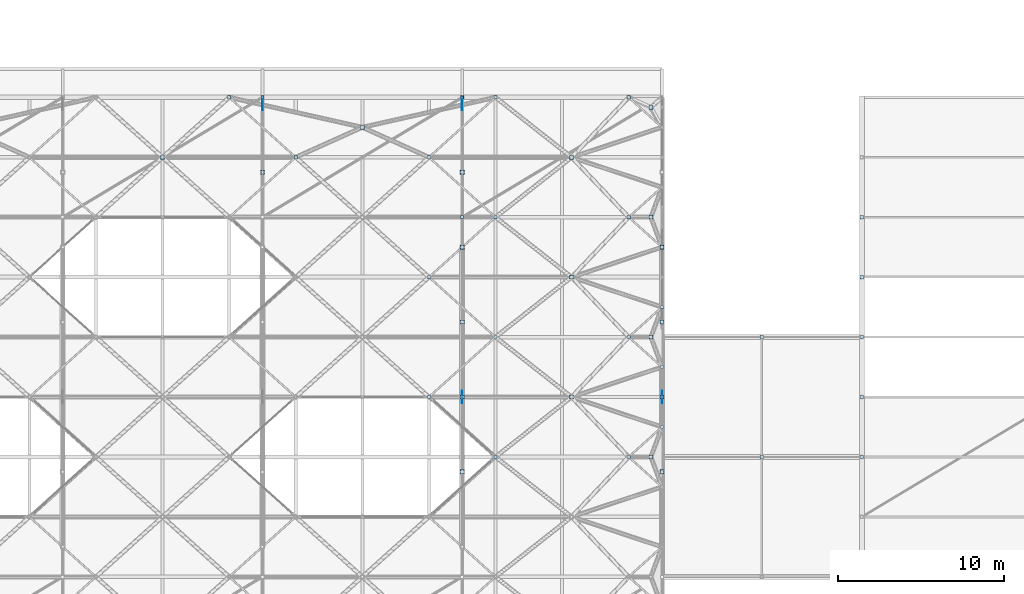
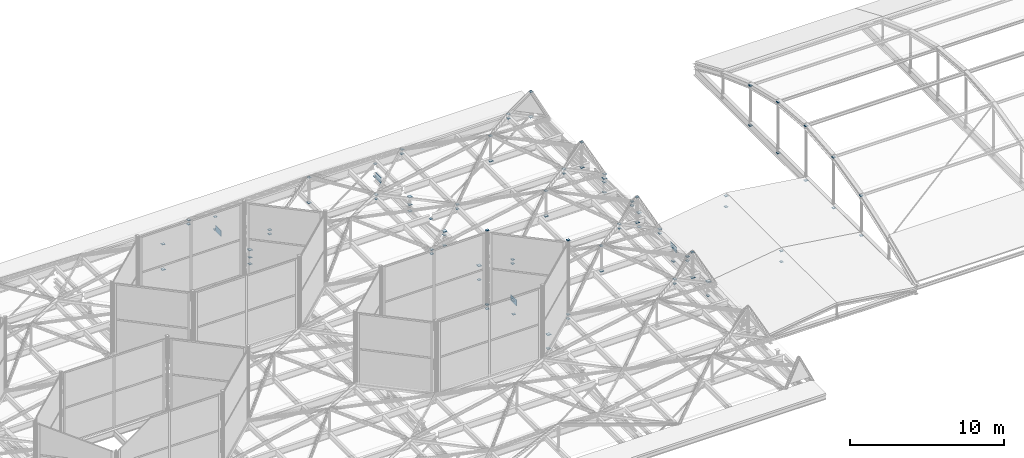
# One storey, part 223 of 239: 100 plates.
"""IFC4 building model written with IfcOpenShell, lengths in metres."""

from ifc_helpers import new_model, si_unit, direction, frame, origin, origin_2d, place, context, subcontext, project, spatial, rectangle, extrude, material, layer, layer_set, type_object, element, save


model = new_model("IFC4")

# Units and contexts
model_context = context("Model", 3, precision=1e-05, world=origin(), true_north=direction((0.0, 1.0)))
body_context = subcontext(model_context, "Body", "Model", "MODEL_VIEW")
ifc_project = project(units=[si_unit("LENGTHUNIT", "METRE"), si_unit("AREAUNIT", "SQUARE_METRE"), si_unit("VOLUMEUNIT", "CUBIC_METRE"), si_unit("PLANEANGLEUNIT", "RADIAN"), si_unit("MASSUNIT", "GRAM", prefix="KILO")], contexts=[model_context])

# Site, building, storey
site_placement = place(None, origin())
site = spatial("IfcSite", under=ifc_project, at=site_placement, CompositionType="ELEMENT")
building_placement = place(site_placement, origin())
building = spatial("IfcBuilding", under=site, at=building_placement, Name="Dunvalen Ferry Terminal", CompositionType="ELEMENT")
storey_placement = place(building_placement, frame((0.0, 0.0, 9.840087890625)))
storey = spatial("IfcBuildingStorey", under=building, at=storey_placement, Name="L02", CompositionType="ELEMENT", Elevation=9.840087890625)

# Plates
ifc_material = material(Name="Steel S355", Category="steel")
ifc_layer_1 = layer(ifc_material, 0.02001953125, Name="Steel S355")
ifc_layer_set_1 = layer_set([ifc_layer_1], Name="Steel S355")
plate_type_1 = type_object("IfcPlateType", Name="STR-PL-GUSSET-01", PredefinedType="USERDEFINED", material=ifc_layer_set_1)
for number, where, z_axis, x_axis, name in (
    (1, (72.0, 81.89990234375, 0.760009765625), (0.0, 0.0, 1.0), (1.0, 0.0, 0.0), "Departure Hall Spandrel Strut Cap Plate 06.7"),
    (2, (84.0, 63.89990234375, 0.760009765625), (0.0, 0.0, 1.0), (1.0, 0.0, 0.0), "Departure Hall Spandrel Strut Cap Plate 07.3"),
    (3, (84.0, 68.39990234375, 0.760009765625), (0.0, 0.0, 1.0), (1.0, 0.0, 0.0), "Departure Hall Spandrel Strut Cap Plate 07.4"),
    (4, (84.0, 72.89990234375, 0.760009765625), (0.0, 0.0, 1.0), (1.0, 0.0, 0.0), "Departure Hall Spandrel Strut Cap Plate 07.5"),
    (5, (84.0, 77.39990234375, 0.760009765625), (0.0, 0.0, 1.0), (1.0, 0.0, 0.0), "Departure Hall Spandrel Strut Cap Plate 07.6"),
    (6, (84.0, 81.89990234375, 0.760009765625), (0.0, 0.0, 1.0), (1.0, 0.0, 0.0), "Departure Hall Spandrel Strut Cap Plate 07.7"),
    (7, (96.0, 63.89990234375, 0.760009765625), (0.0, 0.0, 1.0), (1.0, 0.0, 0.0), "Departure Hall Spandrel Strut Cap Plate 08.3"),
    (8, (96.0, 68.39990234375, 0.760009765625), (0.0, 0.0, 1.0), (1.0, 0.0, 0.0), "Departure Hall Spandrel Strut Cap Plate 08.4"),
    (9, (96.0, 72.89990234375, 0.760009765625), (0.0, 0.0, 1.0), (1.0, 0.0, 0.0), "Departure Hall Spandrel Strut Cap Plate 08.5"),
    (10, (96.0, 77.39990234375, 0.760009765625), (0.0, 0.0, 1.0), (1.0, 0.0, 0.0), "Departure Hall Spandrel Strut Cap Plate 08.6"),
):
    element("IfcPlate", number, at=place(storey_placement, frame(where, z_axis=z_axis, x_axis=x_axis)), inside=storey, type_object=plate_type_1, Name=name, ObjectType="GUSSET PLATE", PredefinedType="USERDEFINED", context=body_context, shape_type="SweptSolid", body=[
        extrude(rectangle(XDim=0.260009765625, YDim=0.260009765625, at=origin_2d()), origin(), (0.0, 0.0, 1.0), 0.02001953125),
    ])
for number, where, z_axis, x_axis, name in (
    (11, (72.0, 86.39990234375, 0.64990234375), (0.0, 0.0, 1.0), (1.0, 0.0, 0.0), "Departure Hall Wind Brace End Cap Plate 5.79.2"),
    (12, (84.0, 86.39990234375, 0.64990234375), (0.0, 0.0, 1.0), (1.0, 0.0, 0.0), "Departure Hall Wind Brace End Cap Plate 6.79.2"),
    (13, (84.0, 79.199951171875, 0.64990234375), (0.0, 0.0, 1.0), (1.0, 0.0, 0.0), "Departure Hall Wind Brace End Cap Plate 7.79.1"),
):
    element("IfcPlate", number, at=place(storey_placement, frame(where, z_axis=z_axis, x_axis=x_axis)), inside=storey, type_object=plate_type_1, Name=name, ObjectType="GUSSET PLATE", PredefinedType="USERDEFINED", context=body_context, shape_type="SweptSolid", body=[
        extrude(rectangle(XDim=0.179931640625, YDim=0.179931640625, at=origin_2d()), origin(), (0.0, 0.0, 1.0), 0.02001953125),
    ])
for number, where, z_axis, x_axis, name in (
    (14, (66.0, 82.800048828125, 0.760009765625), (0.0, 0.0, 1.0), (1.0, 0.0, 0.0), "HEX-33 Pyramid Apex Strut Base Cap Plate"),
    (15, (78.0, 84.60009765625, 0.760009765625), (0.0, 0.0, 1.0), (1.0, 0.0, 0.0), "HEX-39 Pyramid Apex Strut Base Cap Plate"),
    (16, (90.5712890625, 68.39990234375, 0.760009765625), (0.0, 0.0, 1.0), (1.0, 0.0, 0.0), "HEX-42 Pyramid Apex Strut Base Cap Plate"),
    (17, (90.5712890625, 75.60009765625, 0.760009765625), (0.0, 0.0, 1.0), (1.0, 0.0, 0.0), "HEX-43 Pyramid Apex Strut Base Cap Plate"),
    (18, (90.5712890625, 82.800048828125, 0.760009765625), (0.0, 0.0, 1.0), (1.0, 0.0, 0.0), "HEX-44 Pyramid Apex Strut Base Cap Plate"),
    (19, (95.333251953125, 64.800048828125, 0.760009765625), (0.0, 0.0, 1.0), (1.0, 0.0, 0.0), "HEX-47 Pyramid Apex Strut Base Cap Plate"),
    (20, (95.333251953125, 72.0, 0.760009765625), (0.0, 0.0, 1.0), (1.0, 0.0, 0.0), "HEX-48 Pyramid Apex Strut Base Cap Plate"),
    (21, (95.333251953125, 79.199951171875, 0.760009765625), (0.0, 0.0, 1.0), (1.0, 0.0, 0.0), "HEX-49 Pyramid Apex Strut Base Cap Plate"),
    (22, (95.333251953125, 85.800048828125, 0.760009765625), (0.0, 0.0, 1.0), (1.0, 0.0, 0.0), "HEX-50 Pyramid Apex Strut Base Cap Plate"),
):
    element("IfcPlate", number, at=place(storey_placement, frame(where, z_axis=z_axis, x_axis=x_axis)), inside=storey, type_object=plate_type_1, Name=name, ObjectType="GUSSET PLATE", PredefinedType="USERDEFINED", context=body_context, shape_type="SweptSolid", body=[
        extrude(rectangle(XDim=0.239990234375, YDim=0.239990234375, at=origin_2d()), origin(), (0.0, 0.0, 1.0), 0.02001953125),
    ])
for number, where, z_axis, x_axis, name in (
    (23, (72.0, 81.89990234375, -0.3701171875), (0.0, 0.0, 1.0), (1.0, 0.0, 0.0), "L02 Brace-Strut End Cleat Plate 075"),
    (24, (72.0, 86.39990234375, -0.3701171875), (0.0, 0.0, 1.0), (1.0, 0.0, 0.0), "L02 Brace-Strut End Cleat Plate 077"),
    (25, (84.0, 72.89990234375, -0.3701171875), (0.0, 0.0, 1.0), (1.0, 0.0, 0.0), "L02 Brace-Strut End Cleat Plate 085"),
    (26, (84.0, 77.39990234375, 0.46484375), (0.0, 0.0, 1.0), (1.0, 0.0, 0.0), "L02 Brace-Strut End Cleat Plate 087"),
    (27, (84.0, 81.89990234375, 0.15869140625), (0.0, 0.0, 1.0), (1.0, 0.0, 0.0), "L02 Brace-Strut End Cleat Plate 089"),
    (28, (84.0, 68.39990234375, -0.3701171875), (0.0, 0.0, 1.0), (1.0, 0.0, 0.0), "L02 Brace-Strut End Cleat Plate 091"),
    (29, (96.0, 63.89990234375, -0.3701171875), (0.0, 0.0, 1.0), (1.0, 0.0, 0.0), "L02 Brace-Strut End Cleat Plate 097"),
    (30, (96.0, 77.39990234375, -0.3701171875), (0.0, 0.0, 1.0), (1.0, 0.0, 0.0), "L02 Brace-Strut End Cleat Plate 099"),
    (31, (66.0, 82.800048828125, 2.7548828125), (0.0, 0.0, 1.0), (1.0, 0.0, 0.0), "L02 Brace-Strut End Cleat Plate 343"),
    (32, (74.0, 82.800048828125, 0.760009765625), (0.0, 0.0, 1.0), (1.0, 0.0, 0.0), "L02 Brace-Strut End Cleat Plate 345"),
    (33, (70.0, 86.39990234375, 0.760009765625), (0.0, 0.0, 1.0), (1.0, 0.0, 0.0), "L02 Brace-Strut End Cleat Plate 347"),
    (34, (86.0, 64.800048828125, 6.989990234375), (0.0, 0.0, 1.0), (1.0, 0.0, 0.0), "L02 Brace-Strut End Cleat Plate 363"),
    (35, (82.0, 68.39990234375, 6.989990234375), (0.0, 0.0, 1.0), (1.0, 0.0, 0.0), "L02 Brace-Strut End Cleat Plate 365"),
    (36, (86.0, 72.0, 0.760009765625), (0.0, 0.0, 1.0), (1.0, 0.0, 0.0), "L02 Brace-Strut End Cleat Plate 369"),
    (37, (82.0, 75.60009765625, 0.760009765625), (0.0, 0.0, 1.0), (1.0, 0.0, 0.0), "L02 Brace-Strut End Cleat Plate 371"),
    (38, (86.0, 79.199951171875, 0.760009765625), (0.0, 0.0, 1.0), (1.0, 0.0, 0.0), "L02 Brace-Strut End Cleat Plate 375"),
    (39, (82.0, 82.800048828125, 0.760009765625), (0.0, 0.0, 1.0), (1.0, 0.0, 0.0), "L02 Brace-Strut End Cleat Plate 377"),
    (40, (78.0, 84.60009765625, 2.7548828125), (0.0, 0.0, 1.0), (1.0, 0.0, 0.0), "L02 Brace-Strut End Cleat Plate 379"),
    (41, (86.0, 86.39990234375, 1.08984375), (0.0, 0.0, 1.0), (1.0, 0.0, 0.0), "L02 Brace-Strut End Cleat Plate 381"),
    (42, (94.0, 64.800048828125, 0.760009765625), (0.0, 0.0, 1.0), (1.0, 0.0, 0.0), "L02 Brace-Strut End Cleat Plate 395"),
    (43, (86.0, 64.800048828125, 1.08984375), (0.0, 0.0, 1.0), (1.0, 0.0, 0.0), "L02 Brace-Strut End Cleat Plate 397"),
    (44, (96.0, 66.60009765625, 0.760009765625), (0.0, 0.0, 1.0), (1.0, 0.0, 0.0), "L02 Brace-Strut End Cleat Plate 399"),
    (45, (96.0, 70.199951171875, 0.760009765625), (0.0, 0.0, 1.0), (1.0, 0.0, 0.0), "L02 Brace-Strut End Cleat Plate 401"),
    (46, (94.0, 72.0, 0.760009765625), (0.0, 0.0, 1.0), (1.0, 0.0, 0.0), "L02 Brace-Strut End Cleat Plate 403"),
    (47, (90.5712890625, 75.60009765625, 2.7548828125), (0.0, 0.0, 1.0), (1.0, 0.0, 0.0), "L02 Brace-Strut End Cleat Plate 405"),
    (48, (96.0, 73.800048828125, 1.08984375), (0.0, 0.0, 1.0), (1.0, 0.0, 0.0), "L02 Brace-Strut End Cleat Plate 407"),
    (49, (94.0, 79.199951171875, 0.760009765625), (0.0, 0.0, 1.0), (1.0, 0.0, 0.0), "L02 Brace-Strut End Cleat Plate 409"),
    (50, (90.5712890625, 82.800048828125, 2.7548828125), (0.0, 0.0, 1.0), (1.0, 0.0, 0.0), "L02 Brace-Strut End Cleat Plate 411"),
    (51, (94.0, 86.39990234375, 1.08984375), (0.0, 0.0, 1.0), (1.0, 0.0, 0.0), "L02 Brace-Strut End Cleat Plate 417"),
    (52, (95.333251953125, 72.0, 2.7548828125), (0.0, 0.0, 1.0), (1.0, 0.0, 0.0), "L02 Brace-Strut End Cleat Plate 423"),
    (53, (95.333251953125, 85.800048828125, 2.7548828125), (0.0, 0.0, 1.0), (1.0, 0.0, 0.0), "L02 Brace-Strut End Cleat Plate 425"),
    (54, (108.0, 64.800048828125, -0.35009765625), (0.0, 0.0, 1.0), (1.0, 0.0, 0.0), "L02 Brace-Strut End Cleat Plate 429"),
    (55, (108.0, 68.39990234375, -0.35009765625), (0.0, 0.0, 1.0), (1.0, 0.0, 0.0), "L02 Brace-Strut End Cleat Plate 431"),
    (56, (108.0, 72.0, -0.35009765625), (0.0, 0.0, 1.0), (1.0, 0.0, 0.0), "L02 Brace-Strut End Cleat Plate 433"),
    (57, (108.0, 75.60009765625, -0.35009765625), (0.0, 0.0, 1.0), (1.0, 0.0, 0.0), "L02 Brace-Strut End Cleat Plate 435"),
    (58, (108.0, 79.199951171875, -0.35009765625), (0.0, 0.0, 1.0), (1.0, 0.0, 0.0), "L02 Brace-Strut End Cleat Plate 437"),
    (59, (102.0, 64.800048828125, -0.330078125), (0.0, 0.0, 1.0), (1.0, 0.0, 0.0), "L02 Brace-Strut End Cleat Plate 565"),
    (60, (102.0, 72.0, -0.330078125), (0.0, 0.0, 1.0), (1.0, 0.0, 0.0), "L02 Brace-Strut End Cleat Plate 567"),
):
    element("IfcPlate", number, at=place(storey_placement, frame(where, z_axis=z_axis, x_axis=x_axis)), inside=storey, type_object=plate_type_1, Name=name, ObjectType="GUSSET PLATE", PredefinedType="USERDEFINED", context=body_context, shape_type="SweptSolid", body=[
        extrude(rectangle(XDim=0.199951171875, YDim=0.199951171875, at=origin_2d()), origin(), (0.0, 0.0, 1.0), 0.02001953125),
    ])
ifc_layer_2 = layer(ifc_material, 0.02587890625, Name="Steel S355")
ifc_layer_set_2 = layer_set([ifc_layer_2], Name="Steel S355")
plate_type_2 = type_object("IfcPlateType", Name="STR-PL-GUSSET-02", PredefinedType="USERDEFINED", material=ifc_layer_set_2)
for number, where, z_axis, x_axis, name in (
    (61, (72.0, 81.89990234375, 0.15576171875), (0.0, 0.0, 1.0), (1.0, 0.0, 0.0), "L02 Brace-Strut End Cleat Plate 076"),
    (62, (84.0, 63.89990234375, -0.373046875), (0.0, 0.0, 1.0), (1.0, 0.0, 0.0), "L02 Brace-Strut End Cleat Plate 084"),
    (63, (84.0, 77.39990234375, -0.373046875), (0.0, 0.0, 1.0), (1.0, 0.0, 0.0), "L02 Brace-Strut End Cleat Plate 086"),
    (64, (84.0, 81.89990234375, -0.373046875), (0.0, 0.0, 1.0), (1.0, 0.0, 0.0), "L02 Brace-Strut End Cleat Plate 088"),
    (65, (84.0, 86.39990234375, -0.373046875), (0.0, 0.0, 1.0), (1.0, 0.0, 0.0), "L02 Brace-Strut End Cleat Plate 090"),
    (66, (96.0, 72.89990234375, -0.373046875), (0.0, 0.0, 1.0), (1.0, 0.0, 0.0), "L02 Brace-Strut End Cleat Plate 098"),
    (67, (96.0, 77.39990234375, 0.4619140625), (0.0, 0.0, 1.0), (1.0, 0.0, 0.0), "L02 Brace-Strut End Cleat Plate 100"),
    (68, (96.0, 68.39990234375, -0.373046875), (0.0, 0.0, 1.0), (1.0, 0.0, 0.0), "L02 Brace-Strut End Cleat Plate 104"),
    (69, (74.0, 82.800048828125, 1.0869140625), (0.0, 0.0, 1.0), (1.0, 0.0, 0.0), "L02 Brace-Strut End Cleat Plate 346"),
    (70, (70.0, 86.39990234375, 1.0869140625), (0.0, 0.0, 1.0), (1.0, 0.0, 0.0), "L02 Brace-Strut End Cleat Plate 348"),
    (71, (86.0, 64.800048828125, 0.757080078125), (0.0, 0.0, 1.0), (1.0, 0.0, 0.0), "L02 Brace-Strut End Cleat Plate 362"),
    (72, (82.0, 68.39990234375, 0.757080078125), (0.0, 0.0, 1.0), (1.0, 0.0, 0.0), "L02 Brace-Strut End Cleat Plate 364"),
    (73, (82.0, 68.39990234375, 1.0869140625), (0.0, 0.0, 1.0), (1.0, 0.0, 0.0), "L02 Brace-Strut End Cleat Plate 368"),
    (74, (86.0, 72.0, 1.0869140625), (0.0, 0.0, 1.0), (1.0, 0.0, 0.0), "L02 Brace-Strut End Cleat Plate 370"),
    (75, (82.0, 75.60009765625, 1.0869140625), (0.0, 0.0, 1.0), (1.0, 0.0, 0.0), "L02 Brace-Strut End Cleat Plate 372"),
    (76, (86.0, 79.199951171875, 1.0869140625), (0.0, 0.0, 1.0), (1.0, 0.0, 0.0), "L02 Brace-Strut End Cleat Plate 376"),
    (77, (82.0, 82.800048828125, 1.0869140625), (0.0, 0.0, 1.0), (1.0, 0.0, 0.0), "L02 Brace-Strut End Cleat Plate 378"),
    (78, (86.0, 86.39990234375, 0.757080078125), (0.0, 0.0, 1.0), (1.0, 0.0, 0.0), "L02 Brace-Strut End Cleat Plate 380"),
    (79, (94.0, 64.800048828125, 1.0869140625), (0.0, 0.0, 1.0), (1.0, 0.0, 0.0), "L02 Brace-Strut End Cleat Plate 396"),
    (80, (90.5712890625, 68.39990234375, 2.751953125), (0.0, 0.0, 1.0), (1.0, 0.0, 0.0), "L02 Brace-Strut End Cleat Plate 398"),
    (81, (96.0, 66.60009765625, 1.0869140625), (0.0, 0.0, 1.0), (1.0, 0.0, 0.0), "L02 Brace-Strut End Cleat Plate 400"),
    (82, (96.0, 70.199951171875, 1.0869140625), (0.0, 0.0, 1.0), (1.0, 0.0, 0.0), "L02 Brace-Strut End Cleat Plate 402"),
    (83, (94.0, 72.0, 1.0869140625), (0.0, 0.0, 1.0), (1.0, 0.0, 0.0), "L02 Brace-Strut End Cleat Plate 404"),
    (84, (96.0, 73.800048828125, 0.757080078125), (0.0, 0.0, 1.0), (1.0, 0.0, 0.0), "L02 Brace-Strut End Cleat Plate 406"),
    (85, (96.0, 77.39990234375, 1.0869140625), (0.0, 0.0, 1.0), (1.0, 0.0, 0.0), "L02 Brace-Strut End Cleat Plate 408"),
    (86, (94.0, 79.199951171875, 1.0869140625), (0.0, 0.0, 1.0), (1.0, 0.0, 0.0), "L02 Brace-Strut End Cleat Plate 410"),
    (87, (94.0, 86.39990234375, 0.757080078125), (0.0, 0.0, 1.0), (1.0, 0.0, 0.0), "L02 Brace-Strut End Cleat Plate 416"),
    (88, (95.333251953125, 64.800048828125, 2.751953125), (0.0, 0.0, 1.0), (1.0, 0.0, 0.0), "L02 Brace-Strut End Cleat Plate 422"),
    (89, (95.333251953125, 79.199951171875, 2.751953125), (0.0, 0.0, 1.0), (1.0, 0.0, 0.0), "L02 Brace-Strut End Cleat Plate 424"),
    (90, (108.0, 64.800048828125, 2.8154296875), (0.0, 0.0, 1.0), (1.0, 0.0, 0.0), "L02 Brace-Strut End Cleat Plate 430"),
    (91, (108.0, 68.39990234375, 3.682373046875), (0.0, 0.0, 1.0), (1.0, 0.0, 0.0), "L02 Brace-Strut End Cleat Plate 432"),
    (92, (108.0, 72.0, 3.987060546875), (0.0, 0.0, 1.0), (1.0, 0.0, 0.0), "L02 Brace-Strut End Cleat Plate 434"),
    (93, (108.0, 75.60009765625, 3.682373046875), (0.0, 0.0, 1.0), (1.0, 0.0, 0.0), "L02 Brace-Strut End Cleat Plate 436"),
    (94, (108.0, 79.199951171875, 2.8154296875), (0.0, 0.0, 1.0), (1.0, 0.0, 0.0), "L02 Brace-Strut End Cleat Plate 438"),
    (95, (102.0, 64.800048828125, 0.52685546875), (0.0, 0.0, 1.0), (1.0, 0.0, 0.0), "L02 Brace-Strut End Cleat Plate 566"),
    (96, (102.0, 72.0, 0.52685546875), (0.0, 0.0, 1.0), (1.0, 0.0, 0.0), "L02 Brace-Strut End Cleat Plate 568"),
):
    element("IfcPlate", number, at=place(storey_placement, frame(where, z_axis=z_axis, x_axis=x_axis)), inside=storey, type_object=plate_type_2, Name=name, ObjectType="GUSSET PLATE", PredefinedType="USERDEFINED", context=body_context, shape_type="SweptSolid", body=[
        extrude(rectangle(XDim=0.199951171875, YDim=0.199951171875, at=origin_2d()), origin(), (0.0, 0.0, 1.0), 0.02587890625),
    ])
ifc_layer_3 = layer(ifc_material, 0.031982421875, Name="Steel S355")
ifc_layer_set_3 = layer_set([ifc_layer_3], Name="Steel S355")
plate_type_3 = type_object("IfcPlateType", Name="STR-PL-GUSSET-03", PredefinedType="USERDEFINED", material=ifc_layer_set_3)
for number, where, z_axis, x_axis, name in (
    (97, (84.0, 68.39990234375, 0.4951171875), (0.0, 0.0, 1.0), (1.0, 0.0, 0.0), "Departure Hall Arch Gusset Plate 07.2"),
    (98, (96.0, 68.39990234375, 0.4951171875), (0.0, 0.0, 1.0), (1.0, 0.0, 0.0), "Departure Hall Arch Gusset Plate 08.2"),
):
    element("IfcPlate", number, at=place(storey_placement, frame(where, z_axis=z_axis, x_axis=x_axis)), inside=storey, type_object=plate_type_3, Name=name, ObjectType="GUSSET PLATE", PredefinedType="USERDEFINED", context=body_context, shape_type="SweptSolid", body=[
        extrude(rectangle(XDim=0.031982421875, YDim=0.75, at=origin_2d()), origin(), (0.0, 0.0, 1.0), 0.449951171875),
    ])
ifc_layer_4 = layer(ifc_material, 0.0380859375, Name="Steel S355")
ifc_layer_set_4 = layer_set([ifc_layer_4], Name="Steel S355")
plate_type_4 = type_object("IfcPlateType", Name="STR-PL-GUSSET-04", PredefinedType="USERDEFINED", material=ifc_layer_set_4)
for number, where, z_axis, x_axis, name in (
    (99, (72.0, 86.0, -0.46484375), (0.0, 0.0, 1.0), (1.0, 0.0, 0.0), "Departure Hall Arch Gusset Plate 06.3"),
    (100, (84.0, 86.0, -0.46484375), (0.0, 0.0, 1.0), (1.0, 0.0, 0.0), "Departure Hall Arch Gusset Plate 07.3"),
):
    element("IfcPlate", number, at=place(storey_placement, frame(where, z_axis=z_axis, x_axis=x_axis)), inside=storey, type_object=plate_type_4, Name=name, ObjectType="GUSSET PLATE", PredefinedType="USERDEFINED", context=body_context, shape_type="SweptSolid", body=[
        extrude(rectangle(XDim=0.031982421875, YDim=0.75, at=origin_2d()), origin(), (0.0, 0.0, 1.0), 0.449951171875),
    ])

save(model, "model.ifc")
